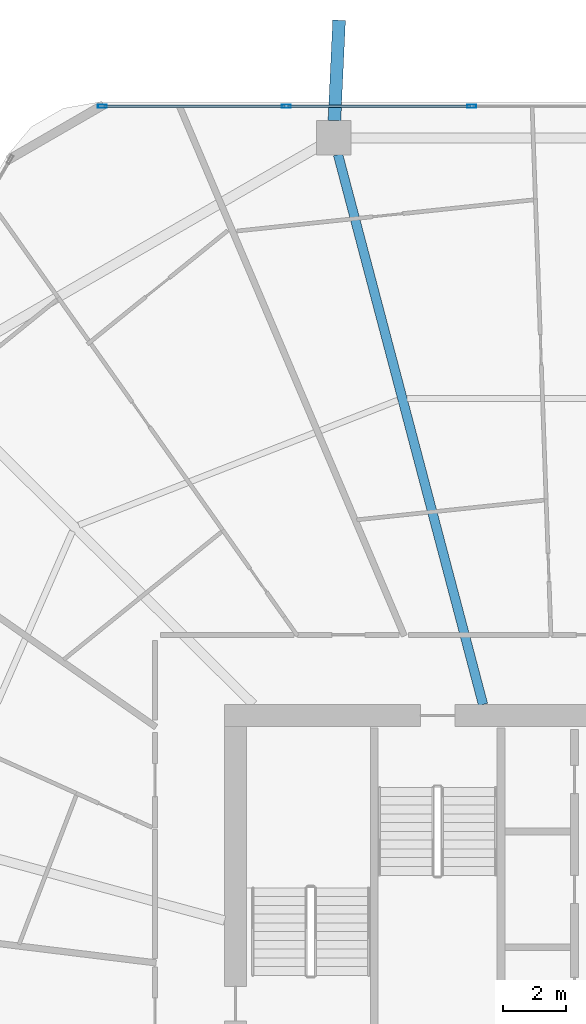
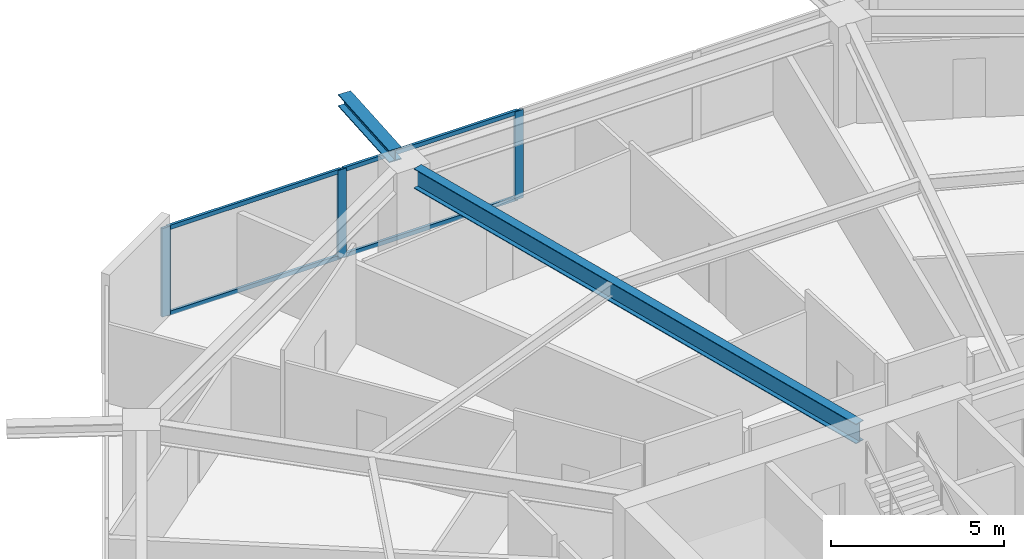
# One storey, part 16 of 32: 7 members, 2 beams, 1 element without a shape of its own.
"""IFC4 building model written with IfcOpenShell, lengths in metres."""

from ifc_helpers import new_model, si_unit, direction, frame, origin, origin_2d, place, context, subcontext, project, spatial, hollow_rectangle, i_section, extrude, material, material_profile, profile_set, type_object, element, aggregate, save


model = new_model("IFC4")

# Units and contexts
model_context = context("Model", 3, precision=1e-05, world=origin(), true_north=direction((0.0, 1.0)))
body_context = subcontext(model_context, "Body", "Model", "MODEL_VIEW")
ifc_project = project(units=[si_unit("LENGTHUNIT", "METRE"), si_unit("AREAUNIT", "SQUARE_METRE"), si_unit("VOLUMEUNIT", "CUBIC_METRE"), si_unit("PLANEANGLEUNIT", "RADIAN"), si_unit("MASSUNIT", "GRAM", prefix="KILO")], contexts=[model_context])

# Site, building, storey
site_placement = place(None, origin())
site = spatial("IfcSite", under=ifc_project, at=site_placement, CompositionType="ELEMENT")
building_placement = place(site_placement, origin())
building = spatial("IfcBuilding", under=site, at=building_placement, Name="Zuhravey Tower", CompositionType="ELEMENT")
storey_placement = place(building_placement, frame((0.0, 0.0, 111.39990234375)))
storey = spatial("IfcBuildingStorey", under=building, at=storey_placement, Name="L27", CompositionType="ELEMENT", Elevation=111.39990234375)

# Curtain wall, members
ifc_material_1 = material(Name="Thermally broken anodised aluminium", Category="aluminium")
curtain_wall_type = type_object("IfcCurtainWallType", Name="Zone 1-2 Residential Curtain Wall CW3", PredefinedType="NOTDEFINED", material=ifc_material_1)
curtain_wall_placement = place(storey_placement, origin())
curtain_wall = element("IfcCurtainWall", 1, at=curtain_wall_placement, inside=storey, type_object=curtain_wall_type, Name="L27 CW3 CW-L27-F2-1", PredefinedType="NOTDEFINED")
ifc_material_2 = material(Name="Anodised aluminium", Category="aluminium")
ifc_material_profile_1 = material_profile(ifc_material_2, hollow_rectangle(XDim=0.090087890625, YDim=0.284912109375, WallThickness=0.0048828125, at=origin_2d()), Name="ALU-RHS-90x285x5")
ifc_profile_set_1 = profile_set([ifc_material_profile_1], Name="Anodised aluminium")
member_type_1 = type_object("IfcMemberType", Name="Curtain-Wall Mullion 90x180", PredefinedType="MULLION", material=ifc_profile_set_1)
member_1_placement = place(storey_placement, frame((21.24560546875, 60.95849609375, 0.0), z_axis=(0.0, 0.0, 1.0), x_axis=(0.0, 1.0, 0.0)))
member_1 = element("IfcMember", 2, at=member_1_placement, type_object=member_type_1, Name="CW3 mullion 1", PredefinedType="MULLION", context=body_context, shape_type="SweptSolid", body=[
    extrude(hollow_rectangle(XDim=0.090087890625, YDim=0.284912109375, WallThickness=0.0048828125, at=origin_2d()), origin(), (0.0, 0.0, 1.0), 3.1220703125),
])
member_2_placement = place(storey_placement, frame((27.120361328125, 60.95849609375, 0.0), z_axis=(0.0, 0.0, 1.0), x_axis=(0.0, 1.0, 0.0)))
member_2 = element("IfcMember", 3, at=member_2_placement, type_object=member_type_1, Name="CW3 mullion 2", PredefinedType="MULLION", context=body_context, shape_type="SweptSolid", body=[
    extrude(hollow_rectangle(XDim=0.090087890625, YDim=0.284912109375, WallThickness=0.0048828125, at=origin_2d()), origin(), (0.0, 0.0, 1.0), 3.1220703125),
])
member_3_placement = place(storey_placement, frame((33.0400390625, 60.95849609375, 0.0), z_axis=(0.0, 0.0, 1.0), x_axis=(0.0, 1.0, 0.0)))
member_3 = element("IfcMember", 4, at=member_3_placement, type_object=member_type_1, Name="CW3 mullion 3", PredefinedType="MULLION", context=body_context, shape_type="SweptSolid", body=[
    extrude(hollow_rectangle(XDim=0.090087890625, YDim=0.284912109375, WallThickness=0.0048828125, at=origin_2d()), origin(), (0.0, 0.0, 1.0), 3.1220703125),
])
ifc_material_profile_2 = material_profile(ifc_material_2, hollow_rectangle(XDim=0.090087890625, YDim=0.14990234375, WallThickness=0.0048828125, at=origin_2d()), Name="ALU-RHS-90x150x5")
ifc_profile_set_2 = profile_set([ifc_material_profile_2], Name="Anodised aluminium")
member_type_2 = type_object("IfcMemberType", Name="Curtain-Wall Transom 90x150", PredefinedType="USERDEFINED", material=ifc_profile_set_2)
member_4_placement = place(storey_placement, frame((21.29052734375, 60.95849609375, 0.045166015625), z_axis=(1.0, 0.0, 0.0), x_axis=(0.0, 1.0, 0.0)))
member_4 = element("IfcMember", 5, at=member_4_placement, type_object=member_type_2, Name="CW3 transom 1.1", ObjectType="TRANSOM", PredefinedType="USERDEFINED", context=body_context, shape_type="SweptSolid", body=[
    extrude(hollow_rectangle(XDim=0.090087890625, YDim=0.14990234375, WallThickness=0.0048828125, at=origin_2d()), origin(), (0.0, 0.0, 1.0), 5.78466796875),
])
member_5_placement = place(storey_placement, frame((21.29052734375, 60.95849609375, 3.0771484375), z_axis=(1.0, 0.0, 0.0), x_axis=(0.0, 1.0, 0.0)))
member_5 = element("IfcMember", 6, at=member_5_placement, type_object=member_type_2, Name="CW3 transom 1.2", ObjectType="TRANSOM", PredefinedType="USERDEFINED", context=body_context, shape_type="SweptSolid", body=[
    extrude(hollow_rectangle(XDim=0.090087890625, YDim=0.14990234375, WallThickness=0.0048828125, at=origin_2d()), origin(), (0.0, 0.0, 1.0), 5.78466796875),
])
member_6_placement = place(storey_placement, frame((27.165283203125, 60.95849609375, 0.045166015625), z_axis=(1.0, 0.0, 0.0), x_axis=(0.0, 1.0, 0.0)))
member_6 = element("IfcMember", 7, at=member_6_placement, type_object=member_type_2, Name="CW3 transom 2.1", ObjectType="TRANSOM", PredefinedType="USERDEFINED", context=body_context, shape_type="SweptSolid", body=[
    extrude(hollow_rectangle(XDim=0.090087890625, YDim=0.14990234375, WallThickness=0.0048828125, at=origin_2d()), origin(), (0.0, 0.0, 1.0), 5.829833984375),
])
member_7_placement = place(storey_placement, frame((27.165283203125, 60.95849609375, 3.0771484375), z_axis=(1.0, 0.0, 0.0), x_axis=(0.0, 1.0, 0.0)))
member_7 = element("IfcMember", 8, at=member_7_placement, type_object=member_type_2, Name="CW3 transom 2.2", ObjectType="TRANSOM", PredefinedType="USERDEFINED", context=body_context, shape_type="SweptSolid", body=[
    extrude(hollow_rectangle(XDim=0.090087890625, YDim=0.14990234375, WallThickness=0.0048828125, at=origin_2d()), origin(), (0.0, 0.0, 1.0), 5.829833984375),
])
aggregate(curtain_wall, [member_1, member_2, member_3, member_4, member_5, member_6, member_7])

# Beams
ifc_material_3 = material(Name="Steel SM460", Category="steel")
ifc_material_profile_3 = material_profile(ifc_material_3, i_section(OverallWidth=0.406982421875, OverallDepth=0.427978515625, WebThickness=0.02001953125, FlangeThickness=0.034912109375, at=origin_2d()), Name="H-428x407x20x35")
ifc_profile_set_3 = profile_set([ifc_material_profile_3], Name="Steel SM460")
beam_type_1 = type_object("IfcBeamType", Name="Exoskeleton Node Tie Beam H428x407", PredefinedType="BEAM", material=ifc_profile_set_3)
beam_1_placement = place(storey_placement, frame((28.65576171875, 60.50244140625, 3.336181640625), z_axis=(0.046700060299, 0.998908956997, 0.0), x_axis=(-0.998908956997, 0.046700060299, 0.0)))
element("IfcBeam", 9, at=beam_1_placement, inside=storey, type_object=beam_type_1, Name="L27 Exoskeleton Node Tie NT1-04", PredefinedType="BEAM", context=body_context, shape_type="SweptSolid", body=[
    extrude(i_section(OverallWidth=0.406982421875, OverallDepth=0.427978515625, WebThickness=0.02001953125, FlangeThickness=0.034912109375, at=origin_2d()), origin(), (0.0, 0.0, 1.0), 3.20458984375),
])
ifc_material_4 = material(Name="Steel SM355", Category="steel")
ifc_material_profile_4 = material_profile(ifc_material_4, i_section(OverallWidth=0.300048828125, OverallDepth=0.699951171875, WebThickness=0.012939453125, FlangeThickness=0.02392578125, at=origin_2d()), Name="H-700x300x13x24")
ifc_profile_set_4 = profile_set([ifc_material_profile_4], Name="Steel SM355")
beam_type_2 = type_object("IfcBeamType", Name="Radial Primary Girder H700x300", PredefinedType="BEAM", material=ifc_profile_set_4)
beam_2_placement = place(storey_placement, frame((33.40185546875, 41.85302734375, 3.2001953125), z_axis=(-0.25498755891, 0.966944333869, 0.0), x_axis=(-0.966944333869, -0.25498755891, 0.0)))
element("IfcBeam", 10, at=beam_2_placement, inside=storey, type_object=beam_type_2, Name="L27 RG1 BM-L27-RAD-04", PredefinedType="BEAM", context=body_context, shape_type="SweptSolid", body=[
    extrude(i_section(OverallWidth=0.300048828125, OverallDepth=0.699951171875, WebThickness=0.012939453125, FlangeThickness=0.02392578125, at=origin_2d()), origin(), (0.0, 0.0, 1.0), 18.1611328125),
])

save(model, "model.ifc")
